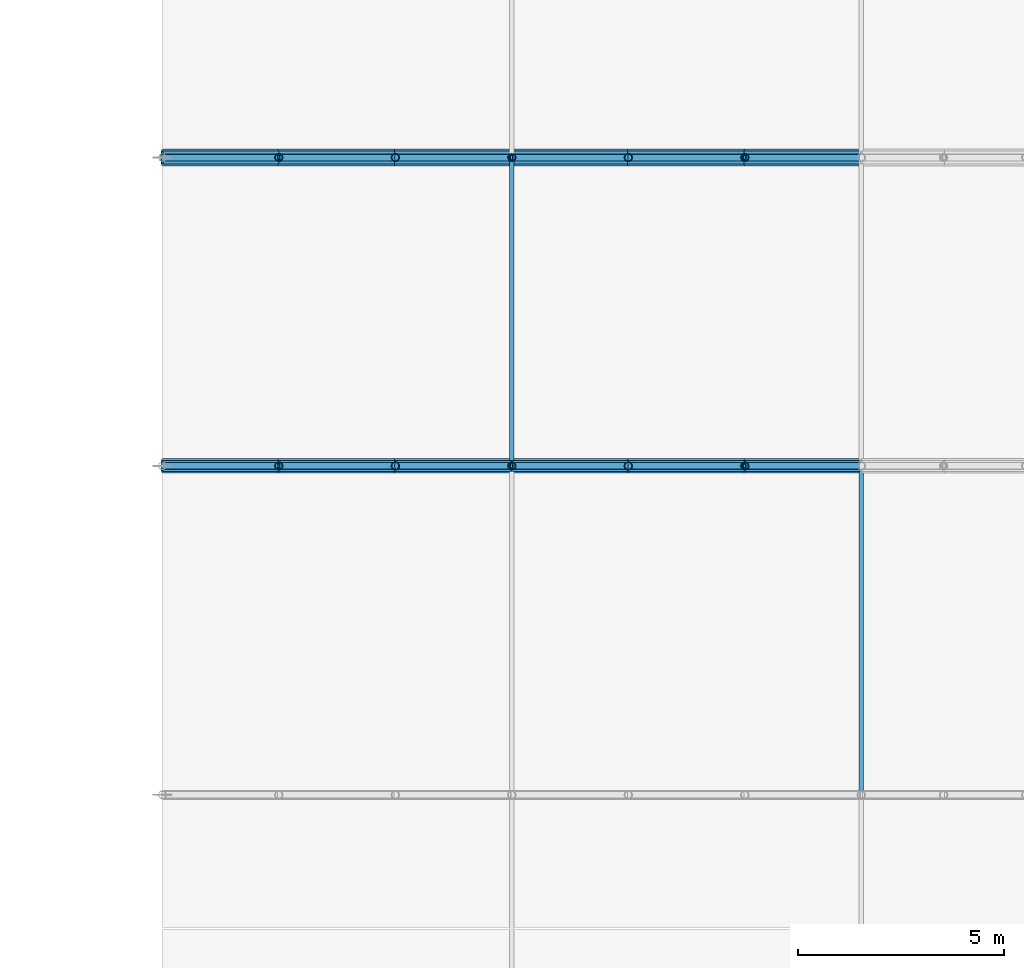
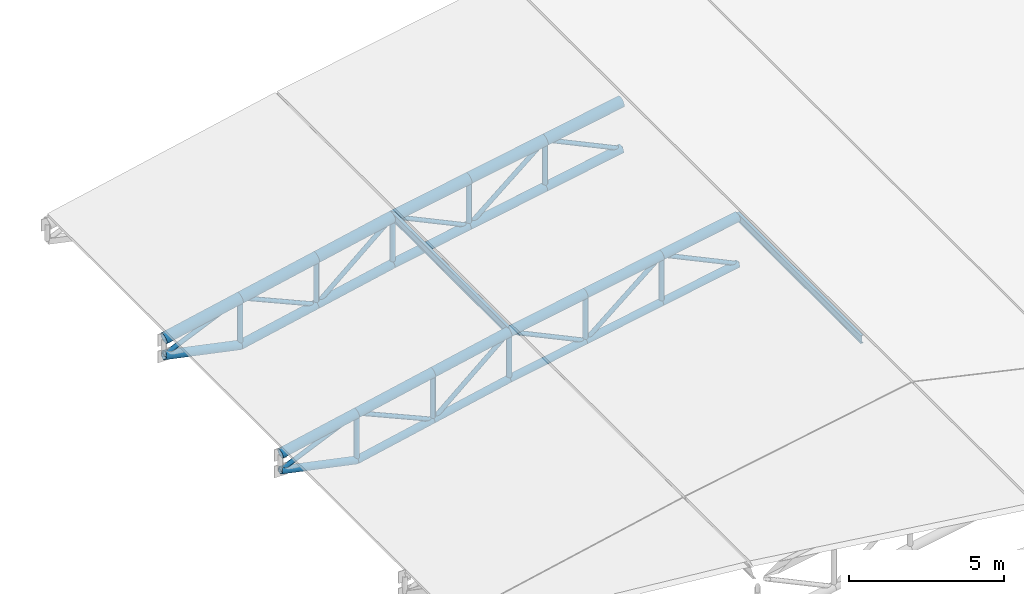
# One storey, part 13 of 28: 36 members, 12 beams.
"""IFC4 building model written with IfcOpenShell, lengths in metres."""

from ifc_helpers import new_model, si_unit, direction, frame, origin, origin_2d, place, context, subcontext, project, spatial, hollow_circle, i_section, extrude, material, material_profile, profile_set, type_object, element, save


model = new_model("IFC4")

# Units and contexts
model_context = context("Model", 3, precision=1e-05, world=origin(), true_north=direction((0.0, 1.0)))
body_context = subcontext(model_context, "Body", "Model", "MODEL_VIEW")
ifc_project = project(units=[si_unit("LENGTHUNIT", "METRE"), si_unit("AREAUNIT", "SQUARE_METRE"), si_unit("VOLUMEUNIT", "CUBIC_METRE"), si_unit("PLANEANGLEUNIT", "RADIAN"), si_unit("MASSUNIT", "GRAM", prefix="KILO"), si_unit("THERMODYNAMICTEMPERATUREUNIT", "KELVIN"), si_unit("POWERUNIT", "WATT")], contexts=[model_context])

# Site, building, storey
site_placement = place(None, origin())
site = spatial("IfcSite", under=ifc_project, at=site_placement, CompositionType="ELEMENT")
building_placement = place(site_placement, origin())
building = spatial("IfcBuilding", under=site, at=building_placement, Name="Tepalcoro Natatorium and Aquatics Centre", CompositionType="ELEMENT")
storey_placement = place(building_placement, frame((0.0, 0.0, 23.199951171875)))
storey = spatial("IfcBuildingStorey", under=building, at=storey_placement, Name="RF", CompositionType="ELEMENT", Elevation=23.199951171875)

# Beams
ifc_material_1 = material(Name="Terracotta Painted Hollow Steel ASTM A500 Grade C (Fy 345 MPa)", Category="masonry")
ifc_material_profile_1 = material_profile(ifc_material_1, hollow_circle(Radius=0.177978515625, WallThickness=0.01611328125, at=origin_2d()), Name="CHS356X16")
ifc_profile_set_1 = profile_set([ifc_material_profile_1], Name="Terracotta Painted Hollow Steel ASTM A500 Grade C (Fy 345 MPa)")
beam_type_1 = type_object("IfcBeamType", Name="AC_CHS356x16", PredefinedType="USERDEFINED", material=ifc_profile_set_1)
beam_1_placement = place(storey_placement, frame((142.0, 44.0, -3.640869140625), z_axis=(0.978074161878, 0.0, 0.208256893925), x_axis=(0.0, 1.0, 0.0)))
element("IfcBeam", 1, at=beam_1_placement, inside=storey, type_object=beam_type_1, Name="V2 Barrel-Arch Top Chord 6", ObjectType="ARCH CHORD", PredefinedType="USERDEFINED", context=body_context, shape_type="SweptSolid", body=[
    extrude(hollow_circle(Radius=0.177978515625, WallThickness=0.01611328125, at=origin_2d()), origin(), (0.0, 0.0, 1.0), 2.896728515625),
])
beam_2_placement = place(storey_placement, frame((144.833251953125, 44.0, -3.03759765625), z_axis=(0.978077816746, 0.0, 0.208239728173), x_axis=(0.0, 1.0, 0.0)))
element("IfcBeam", 2, at=beam_2_placement, inside=storey, type_object=beam_type_1, Name="V2 Barrel-Arch Top Chord 6", ObjectType="ARCH CHORD", PredefinedType="USERDEFINED", context=body_context, shape_type="SweptSolid", body=[
    extrude(hollow_circle(Radius=0.177978515625, WallThickness=0.01611328125, at=origin_2d()), origin(), (0.0, 0.0, 1.0), 2.89697265625),
])
beam_3_placement = place(storey_placement, frame((147.666748046875, 44.0, -2.434326171875), z_axis=(0.978074161878, 0.0, 0.208256893925), x_axis=(0.0, 1.0, 0.0)))
element("IfcBeam", 3, at=beam_3_placement, inside=storey, type_object=beam_type_1, Name="V2 Barrel-Arch Top Chord 6", ObjectType="ARCH CHORD", PredefinedType="USERDEFINED", context=body_context, shape_type="SweptSolid", body=[
    extrude(hollow_circle(Radius=0.177978515625, WallThickness=0.01611328125, at=origin_2d()), origin(), (0.0, 0.0, 1.0), 2.896728515625),
])
for number, where, z_axis, x_axis, name in (
    (4, (150.5, 44.0, -1.8310546875), (0.98376530478, 0.0, 0.179459814754), (0.0, 1.0, 0.0), "V2 Barrel-Arch Top Chord 6"),
    (5, (153.333251953125, 44.0, -1.314208984375), (0.983782994882, 0.0, 0.179362813818), (0.0, 1.0, 0.0), "V2 Barrel-Arch Top Chord 6"),
):
    element("IfcBeam", number, at=place(storey_placement, frame(where, z_axis=z_axis, x_axis=x_axis)), inside=storey, type_object=beam_type_1, Name=name, ObjectType="ARCH CHORD", PredefinedType="USERDEFINED", context=body_context, shape_type="SweptSolid", body=[
        extrude(hollow_circle(Radius=0.177978515625, WallThickness=0.01611328125, at=origin_2d()), origin(), (0.0, 0.0, 1.0), 2.880126953125),
    ])
beam_4_placement = place(storey_placement, frame((156.166748046875, 44.0, -0.797607421875), z_axis=(0.983780267563, 0.0, 0.179377772181), x_axis=(0.0, 1.0, 0.0)))
element("IfcBeam", 6, at=beam_4_placement, inside=storey, type_object=beam_type_1, Name="V2 Barrel-Arch Top Chord 6", ObjectType="ARCH CHORD", PredefinedType="USERDEFINED", context=body_context, shape_type="SweptSolid", body=[
    extrude(hollow_circle(Radius=0.177978515625, WallThickness=0.01611328125, at=origin_2d()), origin(), (0.0, 0.0, 1.0), 2.8798828125),
])
ifc_material_profile_2 = material_profile(ifc_material_1, hollow_circle(Radius=0.202880859375, WallThickness=0.01611328125, at=origin_2d()), Name="CHS406X16")
ifc_profile_set_2 = profile_set([ifc_material_profile_2], Name="Terracotta Painted Hollow Steel ASTM A500 Grade C (Fy 345 MPa)")
beam_type_2 = type_object("IfcBeamType", Name="AC_CHS406x16", PredefinedType="USERDEFINED", material=ifc_profile_set_2)
beam_5_placement = place(storey_placement, frame((142.0, 51.5, -3.666015625), z_axis=(0.978074161878, 0.0, 0.208256893925), x_axis=(0.0, 1.0, 0.0)))
element("IfcBeam", 7, at=beam_5_placement, inside=storey, type_object=beam_type_2, Name="V2 Barrel-Arch Top Chord 7", ObjectType="ARCH CHORD", PredefinedType="USERDEFINED", context=body_context, shape_type="SweptSolid", body=[
    extrude(hollow_circle(Radius=0.202880859375, WallThickness=0.01611328125, at=origin_2d()), origin(), (0.0, 0.0, 1.0), 2.896728515625),
])
beam_6_placement = place(storey_placement, frame((144.833251953125, 51.5, -3.062744140625), z_axis=(0.978060649356, 0.0, 0.208320345098), x_axis=(0.0, 1.0, 0.0)))
element("IfcBeam", 8, at=beam_6_placement, inside=storey, type_object=beam_type_2, Name="V2 Barrel-Arch Top Chord 7", ObjectType="ARCH CHORD", PredefinedType="USERDEFINED", context=body_context, shape_type="SweptSolid", body=[
    extrude(hollow_circle(Radius=0.202880859375, WallThickness=0.01611328125, at=origin_2d()), origin(), (0.0, 0.0, 1.0), 2.89697265625),
])
beam_7_placement = place(storey_placement, frame((147.666748046875, 51.5, -2.459228515625), z_axis=(0.978074161878, 0.0, 0.208256893925), x_axis=(0.0, 1.0, 0.0)))
element("IfcBeam", 9, at=beam_7_placement, inside=storey, type_object=beam_type_2, Name="V2 Barrel-Arch Top Chord 7", ObjectType="ARCH CHORD", PredefinedType="USERDEFINED", context=body_context, shape_type="SweptSolid", body=[
    extrude(hollow_circle(Radius=0.202880859375, WallThickness=0.01611328125, at=origin_2d()), origin(), (0.0, 0.0, 1.0), 2.896728515625),
])
beam_8_placement = place(storey_placement, frame((150.5, 51.5, -1.85595703125), z_axis=(0.983780267563, 0.0, 0.179377772181), x_axis=(0.0, 1.0, 0.0)))
element("IfcBeam", 10, at=beam_8_placement, inside=storey, type_object=beam_type_2, Name="V2 Barrel-Arch Top Chord 7", ObjectType="ARCH CHORD", PredefinedType="USERDEFINED", context=body_context, shape_type="SweptSolid", body=[
    extrude(hollow_circle(Radius=0.202880859375, WallThickness=0.01611328125, at=origin_2d()), origin(), (0.0, 0.0, 1.0), 2.8798828125),
])
for number, where, z_axis, x_axis, name in (
    (11, (153.333251953125, 51.5, -1.33935546875), (0.983782994882, 0.0, 0.179362813818), (0.0, 1.0, 0.0), "V2 Barrel-Arch Top Chord 7"),
    (12, (156.166748046875, 51.5, -0.82275390625), (0.98376530478, 0.0, 0.179459814754), (0.0, 1.0, 0.0), "V2 Barrel-Arch Top Chord 7"),
):
    element("IfcBeam", number, at=place(storey_placement, frame(where, z_axis=z_axis, x_axis=x_axis)), inside=storey, type_object=beam_type_2, Name=name, ObjectType="ARCH CHORD", PredefinedType="USERDEFINED", context=body_context, shape_type="SweptSolid", body=[
        extrude(hollow_circle(Radius=0.202880859375, WallThickness=0.01611328125, at=origin_2d()), origin(), (0.0, 0.0, 1.0), 2.880126953125),
    ])

# Members
ifc_material_profile_3 = material_profile(ifc_material_1, hollow_circle(Radius=0.136474609375, WallThickness=0.01611328125, at=origin_2d()), Name="CHS273X16")
ifc_profile_set_3 = profile_set([ifc_material_profile_3], Name="Terracotta Painted Hollow Steel ASTM A500 Grade C (Fy 345 MPa)")
member_type_1 = type_object("IfcMemberType", Name="MB_CH_CHS273x16", PredefinedType="CHORD", material=ifc_profile_set_3)
member_1_placement = place(storey_placement, frame((142.0, 44.0, -4.291015625), z_axis=(0.978535468327, 0.0, -0.206078473468), x_axis=(0.0, 1.0, 0.0)))
element("IfcMember", 13, at=member_1_placement, inside=storey, type_object=member_type_1, Name="V2 Barrel-Arch Bottom Chord 6", PredefinedType="CHORD", context=body_context, shape_type="SweptSolid", body=[
    extrude(hollow_circle(Radius=0.136474609375, WallThickness=0.01611328125, at=origin_2d()), origin(), (0.0, 0.0, 1.0), 2.8955078125),
])
member_2_placement = place(storey_placement, frame((144.833251953125, 44.0, -4.8876953125), z_axis=(0.978060649356, 0.0, 0.208320345098), x_axis=(0.0, 1.0, 0.0)))
element("IfcMember", 14, at=member_2_placement, inside=storey, type_object=member_type_1, Name="V2 Barrel-Arch Bottom Chord 6", PredefinedType="CHORD", context=body_context, shape_type="SweptSolid", body=[
    extrude(hollow_circle(Radius=0.136474609375, WallThickness=0.01611328125, at=origin_2d()), origin(), (0.0, 0.0, 1.0), 2.89697265625),
])
member_3_placement = place(storey_placement, frame((147.666748046875, 44.0, -4.2841796875), z_axis=(0.978074161878, 0.0, 0.208256893925), x_axis=(0.0, 1.0, 0.0)))
element("IfcMember", 15, at=member_3_placement, inside=storey, type_object=member_type_1, Name="V2 Barrel-Arch Bottom Chord 6", PredefinedType="CHORD", context=body_context, shape_type="SweptSolid", body=[
    extrude(hollow_circle(Radius=0.136474609375, WallThickness=0.01611328125, at=origin_2d()), origin(), (0.0, 0.0, 1.0), 2.896728515625),
])
member_4_placement = place(storey_placement, frame((150.5, 44.0, -3.680908203125), z_axis=(0.983780267563, 0.0, 0.179377772181), x_axis=(0.0, 1.0, 0.0)))
element("IfcMember", 16, at=member_4_placement, inside=storey, type_object=member_type_1, Name="V2 Barrel-Arch Bottom Chord 6", PredefinedType="CHORD", context=body_context, shape_type="SweptSolid", body=[
    extrude(hollow_circle(Radius=0.136474609375, WallThickness=0.01611328125, at=origin_2d()), origin(), (0.0, 0.0, 1.0), 2.8798828125),
])
for number, where, z_axis, x_axis, name in (
    (17, (153.333251953125, 44.0, -3.164306640625), (0.983782994882, 0.0, 0.179362813818), (0.0, 1.0, 0.0), "V2 Barrel-Arch Bottom Chord 6"),
    (18, (156.166748046875, 44.0, -2.647705078125), (0.98376530478, 0.0, 0.179459814754), (0.0, 1.0, 0.0), "V2 Barrel-Arch Bottom Chord 6"),
):
    element("IfcMember", number, at=place(storey_placement, frame(where, z_axis=z_axis, x_axis=x_axis)), inside=storey, type_object=member_type_1, Name=name, PredefinedType="CHORD", context=body_context, shape_type="SweptSolid", body=[
        extrude(hollow_circle(Radius=0.136474609375, WallThickness=0.01611328125, at=origin_2d()), origin(), (0.0, 0.0, 1.0), 2.880126953125),
    ])
ifc_material_profile_4 = material_profile(ifc_material_1, hollow_circle(Radius=0.162109375, WallThickness=0.013916015625, at=origin_2d()), Name="CHS324X14")
ifc_profile_set_4 = profile_set([ifc_material_profile_4], Name="Terracotta Painted Hollow Steel ASTM A500 Grade C (Fy 345 MPa)")
member_type_2 = type_object("IfcMemberType", Name="MB_CH_CHS324x14", PredefinedType="CHORD", material=ifc_profile_set_4)
member_5_placement = place(storey_placement, frame((142.0, 51.5, -4.31591796875), z_axis=(0.978535468327, 0.0, -0.206078473468), x_axis=(0.0, 1.0, 0.0)))
element("IfcMember", 19, at=member_5_placement, inside=storey, type_object=member_type_2, Name="V2 Barrel-Arch Bottom Chord 7", PredefinedType="CHORD", context=body_context, shape_type="SweptSolid", body=[
    extrude(hollow_circle(Radius=0.162109375, WallThickness=0.013916015625, at=origin_2d()), origin(), (0.0, 0.0, 1.0), 2.8955078125),
])
member_6_placement = place(storey_placement, frame((144.833251953125, 51.5, -4.91259765625), z_axis=(0.978077816746, 0.0, 0.208239728173), x_axis=(0.0, 1.0, 0.0)))
element("IfcMember", 20, at=member_6_placement, inside=storey, type_object=member_type_2, Name="V2 Barrel-Arch Bottom Chord 7", PredefinedType="CHORD", context=body_context, shape_type="SweptSolid", body=[
    extrude(hollow_circle(Radius=0.162109375, WallThickness=0.013916015625, at=origin_2d()), origin(), (0.0, 0.0, 1.0), 2.89697265625),
])
member_7_placement = place(storey_placement, frame((147.666748046875, 51.5, -4.309326171875), z_axis=(0.978074161878, 0.0, 0.208256893925), x_axis=(0.0, 1.0, 0.0)))
element("IfcMember", 21, at=member_7_placement, inside=storey, type_object=member_type_2, Name="V2 Barrel-Arch Bottom Chord 7", PredefinedType="CHORD", context=body_context, shape_type="SweptSolid", body=[
    extrude(hollow_circle(Radius=0.162109375, WallThickness=0.013916015625, at=origin_2d()), origin(), (0.0, 0.0, 1.0), 2.896728515625),
])
for number, where, z_axis, x_axis, name in (
    (22, (150.5, 51.5, -3.7060546875), (0.98376530478, 0.0, 0.179459814754), (0.0, 1.0, 0.0), "V2 Barrel-Arch Bottom Chord 7"),
    (23, (153.333251953125, 51.5, -3.189208984375), (0.983782994882, 0.0, 0.179362813818), (0.0, 1.0, 0.0), "V2 Barrel-Arch Bottom Chord 7"),
):
    element("IfcMember", number, at=place(storey_placement, frame(where, z_axis=z_axis, x_axis=x_axis)), inside=storey, type_object=member_type_2, Name=name, PredefinedType="CHORD", context=body_context, shape_type="SweptSolid", body=[
        extrude(hollow_circle(Radius=0.162109375, WallThickness=0.013916015625, at=origin_2d()), origin(), (0.0, 0.0, 1.0), 2.880126953125),
    ])
member_8_placement = place(storey_placement, frame((156.166748046875, 51.5, -2.672607421875), z_axis=(0.983780267563, 0.0, 0.179377772181), x_axis=(0.0, 1.0, 0.0)))
element("IfcMember", 24, at=member_8_placement, inside=storey, type_object=member_type_2, Name="V2 Barrel-Arch Bottom Chord 7", PredefinedType="CHORD", context=body_context, shape_type="SweptSolid", body=[
    extrude(hollow_circle(Radius=0.162109375, WallThickness=0.013916015625, at=origin_2d()), origin(), (0.0, 0.0, 1.0), 2.8798828125),
])
ifc_material_2 = material(Name="Steel ASTM A992 Grade 50 (Fy 345 MPa)", Category="steel")
ifc_material_profile_5 = material_profile(ifc_material_2, i_section(OverallWidth=0.10205078125, OverallDepth=0.31201171875, WebThickness=0.007080078125, FlangeThickness=0.010986328125, FilletRadius=0.013916015625, at=origin_2d()), Name="W12X22")
ifc_profile_set_5 = profile_set([ifc_material_profile_5], Name="Steel ASTM A992 Grade 50 (Fy 345 MPa)")
member_type_3 = type_object("IfcMemberType", Name="MB_PR_W12x22", PredefinedType="PURLIN", material=ifc_profile_set_5)
member_9_placement = place(storey_placement, frame((159.0, 36.0, -0.259033203125), z_axis=(0.0, 1.0, 0.0), x_axis=(-1.0, 0.0, 0.0)))
element("IfcMember", 25, at=member_9_placement, inside=storey, type_object=member_type_3, Name="V2 Barrel-Arch Roof Purlin", PredefinedType="PURLIN", context=body_context, shape_type="SweptSolid", body=[
    extrude(i_section(OverallWidth=0.10205078125, OverallDepth=0.31201171875, WebThickness=0.007080078125, FlangeThickness=0.010986328125, FilletRadius=0.013916015625, at=origin_2d()), origin(), (0.0, 0.0, 1.0), 8.0),
])
member_10_placement = place(storey_placement, frame((150.5, 44.0, -1.808837890625), z_axis=(0.0, 1.0, 0.0), x_axis=(-1.0, 0.0, 0.0)))
element("IfcMember", 26, at=member_10_placement, inside=storey, type_object=member_type_3, Name="V2 Barrel-Arch Roof Purlin", PredefinedType="PURLIN", context=body_context, shape_type="SweptSolid", body=[
    extrude(i_section(OverallWidth=0.10205078125, OverallDepth=0.31201171875, WebThickness=0.007080078125, FlangeThickness=0.010986328125, FilletRadius=0.013916015625, at=origin_2d()), origin(), (0.0, 0.0, 1.0), 7.5),
])
ifc_material_profile_6 = material_profile(ifc_material_1, hollow_circle(Radius=0.096923828125, WallThickness=0.010009765625, at=origin_2d()), Name="CHS194X10")
ifc_profile_set_6 = profile_set([ifc_material_profile_6], Name="Terracotta Painted Hollow Steel ASTM A500 Grade C (Fy 345 MPa)")
member_type_4 = type_object("IfcMemberType", Name="MB_PS_CHS194x10", PredefinedType="POST", material=ifc_profile_set_6)
member_11_placement = place(storey_placement, frame((144.833251953125, 44.0, -4.8876953125), z_axis=(0.0, 0.0, 1.0), x_axis=(1.0, 0.0, 0.0)))
element("IfcMember", 27, at=member_11_placement, inside=storey, type_object=member_type_4, Name="V2 Barrel-Arch Post 6", PredefinedType="POST", context=body_context, shape_type="SweptSolid", body=[
    extrude(hollow_circle(Radius=0.096923828125, WallThickness=0.010009765625, at=origin_2d()), origin(), (0.0, 0.0, 1.0), 1.85009765625),
])
for number, where, z_axis, x_axis, name in (
    (28, (147.666748046875, 44.0, -4.2841796875), (0.0, 0.0, 1.0), (1.0, 0.0, 0.0), "V2 Barrel-Arch Post 6"),
    (29, (150.5, 44.0, -3.680908203125), (0.0, 0.0, 1.0), (1.0, 0.0, 0.0), "V2 Barrel-Arch Post 6"),
):
    element("IfcMember", number, at=place(storey_placement, frame(where, z_axis=z_axis, x_axis=x_axis)), inside=storey, type_object=member_type_4, Name=name, PredefinedType="POST", context=body_context, shape_type="SweptSolid", body=[
        extrude(hollow_circle(Radius=0.096923828125, WallThickness=0.010009765625, at=origin_2d()), origin(), (0.0, 0.0, 1.0), 1.849853515625),
    ])
for number, where, z_axis, x_axis, name in (
    (30, (153.333251953125, 44.0, -3.164306640625), (0.0, 0.0, 1.0), (1.0, 0.0, 0.0), "V2 Barrel-Arch Post 6"),
    (31, (156.166748046875, 44.0, -2.647705078125), (0.0, 0.0, 1.0), (1.0, 0.0, 0.0), "V2 Barrel-Arch Post 6"),
):
    element("IfcMember", number, at=place(storey_placement, frame(where, z_axis=z_axis, x_axis=x_axis)), inside=storey, type_object=member_type_4, Name=name, PredefinedType="POST", context=body_context, shape_type="SweptSolid", body=[
        extrude(hollow_circle(Radius=0.096923828125, WallThickness=0.010009765625, at=origin_2d()), origin(), (0.0, 0.0, 1.0), 1.85009765625),
    ])
member_12_placement = place(storey_placement, frame((144.833251953125, 51.5, -4.91259765625), z_axis=(0.0, 0.0, 1.0), x_axis=(1.0, 0.0, 0.0)))
element("IfcMember", 32, at=member_12_placement, inside=storey, type_object=member_type_4, Name="V2 Barrel-Arch Post 7", PredefinedType="POST", context=body_context, shape_type="SweptSolid", body=[
    extrude(hollow_circle(Radius=0.096923828125, WallThickness=0.010009765625, at=origin_2d()), origin(), (0.0, 0.0, 1.0), 1.849853515625),
])
for number, where, z_axis, x_axis, name in (
    (33, (147.666748046875, 51.5, -4.309326171875), (0.0, 0.0, 1.0), (1.0, 0.0, 0.0), "V2 Barrel-Arch Post 7"),
    (34, (150.5, 51.5, -3.7060546875), (0.0, 0.0, 1.0), (1.0, 0.0, 0.0), "V2 Barrel-Arch Post 7"),
):
    element("IfcMember", number, at=place(storey_placement, frame(where, z_axis=z_axis, x_axis=x_axis)), inside=storey, type_object=member_type_4, Name=name, PredefinedType="POST", context=body_context, shape_type="SweptSolid", body=[
        extrude(hollow_circle(Radius=0.096923828125, WallThickness=0.010009765625, at=origin_2d()), origin(), (0.0, 0.0, 1.0), 1.85009765625),
    ])
for number, where, z_axis, x_axis, name in (
    (35, (153.333251953125, 51.5, -3.189208984375), (0.0, 0.0, 1.0), (1.0, 0.0, 0.0), "V2 Barrel-Arch Post 7"),
    (36, (156.166748046875, 51.5, -2.672607421875), (0.0, 0.0, 1.0), (1.0, 0.0, 0.0), "V2 Barrel-Arch Post 7"),
):
    element("IfcMember", number, at=place(storey_placement, frame(where, z_axis=z_axis, x_axis=x_axis)), inside=storey, type_object=member_type_4, Name=name, PredefinedType="POST", context=body_context, shape_type="SweptSolid", body=[
        extrude(hollow_circle(Radius=0.096923828125, WallThickness=0.010009765625, at=origin_2d()), origin(), (0.0, 0.0, 1.0), 1.849853515625),
    ])
ifc_material_profile_7 = material_profile(ifc_material_1, hollow_circle(Radius=0.083984375, WallThickness=0.011962890625, at=origin_2d()), Name="CHS168X12")
ifc_profile_set_7 = profile_set([ifc_material_profile_7], Name="Terracotta Painted Hollow Steel ASTM A500 Grade C (Fy 345 MPa)")
member_type_5 = type_object("IfcMemberType", Name="MB_ST_CHS168x12", PredefinedType="STRUT", material=ifc_profile_set_7)
member_13_placement = place(storey_placement, frame((142.0, 44.0, -4.291015625), z_axis=(0.914505622788, 0.0, 0.40457318978), x_axis=(0.0, 1.0, 0.0)))
element("IfcMember", 37, at=member_13_placement, inside=storey, type_object=member_type_5, Name="V2 Barrel-Arch Web Diagonal 6", PredefinedType="STRUT", context=body_context, shape_type="SweptSolid", body=[
    extrude(hollow_circle(Radius=0.083984375, WallThickness=0.011962890625, at=origin_2d()), origin(), (0.0, 0.0, 1.0), 3.09814453125),
])
member_14_placement = place(storey_placement, frame((144.833251953125, 44.0, -3.03759765625), z_axis=(0.915333638203, 0.0, -0.402696325751), x_axis=(0.0, 1.0, 0.0)))
element("IfcMember", 38, at=member_14_placement, inside=storey, type_object=member_type_5, Name="V2 Barrel-Arch Web Diagonal 6", PredefinedType="STRUT", context=body_context, shape_type="SweptSolid", body=[
    extrude(hollow_circle(Radius=0.083984375, WallThickness=0.011962890625, at=origin_2d()), origin(), (0.0, 0.0, 1.0), 3.095703125),
])
member_15_placement = place(storey_placement, frame((147.666748046875, 44.0, -4.2841796875), z_axis=(0.756000665188, 0.0, 0.654570847377), x_axis=(0.0, 1.0, 0.0)))
element("IfcMember", 39, at=member_15_placement, inside=storey, type_object=member_type_5, Name="V2 Barrel-Arch Web Diagonal 6", PredefinedType="STRUT", context=body_context, shape_type="SweptSolid", body=[
    extrude(hollow_circle(Radius=0.083984375, WallThickness=0.011962890625, at=origin_2d()), origin(), (0.0, 0.0, 1.0), 3.747802734375),
])
member_16_placement = place(storey_placement, frame((150.5, 44.0, -1.8310546875), z_axis=(0.904824003103, 0.0, -0.425785771732), x_axis=(0.0, 1.0, 0.0)))
element("IfcMember", 40, at=member_16_placement, inside=storey, type_object=member_type_5, Name="V2 Barrel-Arch Web Diagonal 6", PredefinedType="STRUT", context=body_context, shape_type="SweptSolid", body=[
    extrude(hollow_circle(Radius=0.083984375, WallThickness=0.011962890625, at=origin_2d()), origin(), (0.0, 0.0, 1.0), 3.13134765625),
])
member_17_placement = place(storey_placement, frame((153.333251953125, 44.0, -3.164306640625), z_axis=(0.767494449024, 0.0, 0.641055590973), x_axis=(0.0, 1.0, 0.0)))
element("IfcMember", 41, at=member_17_placement, inside=storey, type_object=member_type_5, Name="V2 Barrel-Arch Web Diagonal 6", PredefinedType="STRUT", context=body_context, shape_type="SweptSolid", body=[
    extrude(hollow_circle(Radius=0.083984375, WallThickness=0.011962890625, at=origin_2d()), origin(), (0.0, 0.0, 1.0), 3.69189453125),
])
member_18_placement = place(storey_placement, frame((156.166748046875, 44.0, -0.797607421875), z_axis=(0.904824003103, 0.0, -0.425785771732), x_axis=(0.0, 1.0, 0.0)))
element("IfcMember", 42, at=member_18_placement, inside=storey, type_object=member_type_5, Name="V2 Barrel-Arch Web Diagonal 6", PredefinedType="STRUT", context=body_context, shape_type="SweptSolid", body=[
    extrude(hollow_circle(Radius=0.083984375, WallThickness=0.011962890625, at=origin_2d()), origin(), (0.0, 0.0, 1.0), 3.13134765625),
])
member_19_placement = place(storey_placement, frame((142.0, 51.5, -4.31591796875), z_axis=(0.914534777126, 0.0, 0.404507282291), x_axis=(0.0, 1.0, 0.0)))
element("IfcMember", 43, at=member_19_placement, inside=storey, type_object=member_type_5, Name="V2 Barrel-Arch Web Diagonal 7", PredefinedType="STRUT", context=body_context, shape_type="SweptSolid", body=[
    extrude(hollow_circle(Radius=0.083984375, WallThickness=0.011962890625, at=origin_2d()), origin(), (0.0, 0.0, 1.0), 3.09814453125),
])
member_20_placement = place(storey_placement, frame((144.833251953125, 51.5, -3.062744140625), z_axis=(0.915333638203, 0.0, -0.402696325751), x_axis=(0.0, 1.0, 0.0)))
element("IfcMember", 44, at=member_20_placement, inside=storey, type_object=member_type_5, Name="V2 Barrel-Arch Web Diagonal 7", PredefinedType="STRUT", context=body_context, shape_type="SweptSolid", body=[
    extrude(hollow_circle(Radius=0.083984375, WallThickness=0.011962890625, at=origin_2d()), origin(), (0.0, 0.0, 1.0), 3.095703125),
])
member_21_placement = place(storey_placement, frame((147.666748046875, 51.5, -4.309326171875), z_axis=(0.755968428553, 0.0, 0.654608077426), x_axis=(0.0, 1.0, 0.0)))
element("IfcMember", 45, at=member_21_placement, inside=storey, type_object=member_type_5, Name="V2 Barrel-Arch Web Diagonal 7", PredefinedType="STRUT", context=body_context, shape_type="SweptSolid", body=[
    extrude(hollow_circle(Radius=0.083984375, WallThickness=0.011962890625, at=origin_2d()), origin(), (0.0, 0.0, 1.0), 3.747802734375),
])
member_22_placement = place(storey_placement, frame((150.5, 51.5, -1.85595703125), z_axis=(0.904824003103, 0.0, -0.425785771732), x_axis=(0.0, 1.0, 0.0)))
element("IfcMember", 46, at=member_22_placement, inside=storey, type_object=member_type_5, Name="V2 Barrel-Arch Web Diagonal 7", PredefinedType="STRUT", context=body_context, shape_type="SweptSolid", body=[
    extrude(hollow_circle(Radius=0.083984375, WallThickness=0.011962890625, at=origin_2d()), origin(), (0.0, 0.0, 1.0), 3.13134765625),
])
member_23_placement = place(storey_placement, frame((153.333251953125, 51.5, -3.189208984375), z_axis=(0.767526985373, 0.0, 0.641016635294), x_axis=(0.0, 1.0, 0.0)))
element("IfcMember", 47, at=member_23_placement, inside=storey, type_object=member_type_5, Name="V2 Barrel-Arch Web Diagonal 7", PredefinedType="STRUT", context=body_context, shape_type="SweptSolid", body=[
    extrude(hollow_circle(Radius=0.083984375, WallThickness=0.011962890625, at=origin_2d()), origin(), (0.0, 0.0, 1.0), 3.691650390625),
])
member_24_placement = place(storey_placement, frame((156.166748046875, 51.5, -0.82275390625), z_axis=(0.904824003103, 0.0, -0.425785771732), x_axis=(0.0, 1.0, 0.0)))
element("IfcMember", 48, at=member_24_placement, inside=storey, type_object=member_type_5, Name="V2 Barrel-Arch Web Diagonal 7", PredefinedType="STRUT", context=body_context, shape_type="SweptSolid", body=[
    extrude(hollow_circle(Radius=0.083984375, WallThickness=0.011962890625, at=origin_2d()), origin(), (0.0, 0.0, 1.0), 3.13134765625),
])

save(model, "model.ifc")
